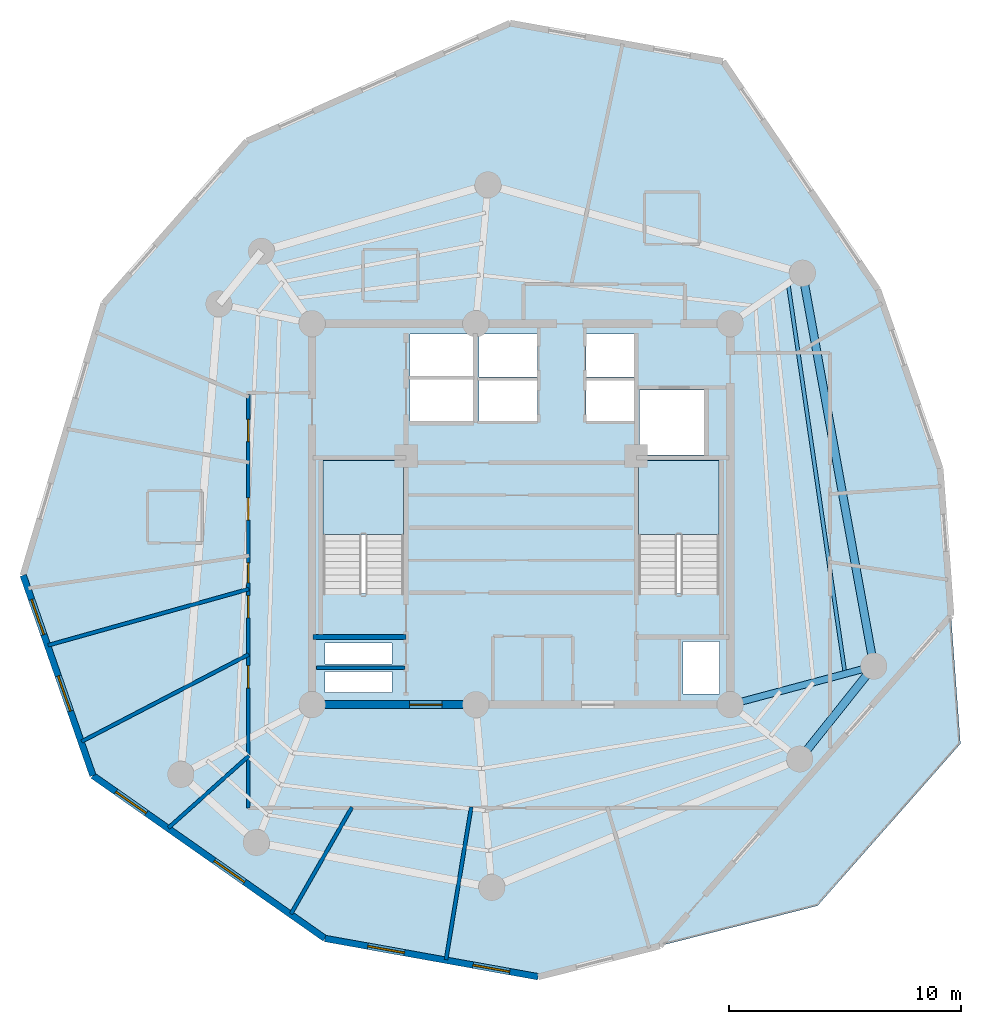
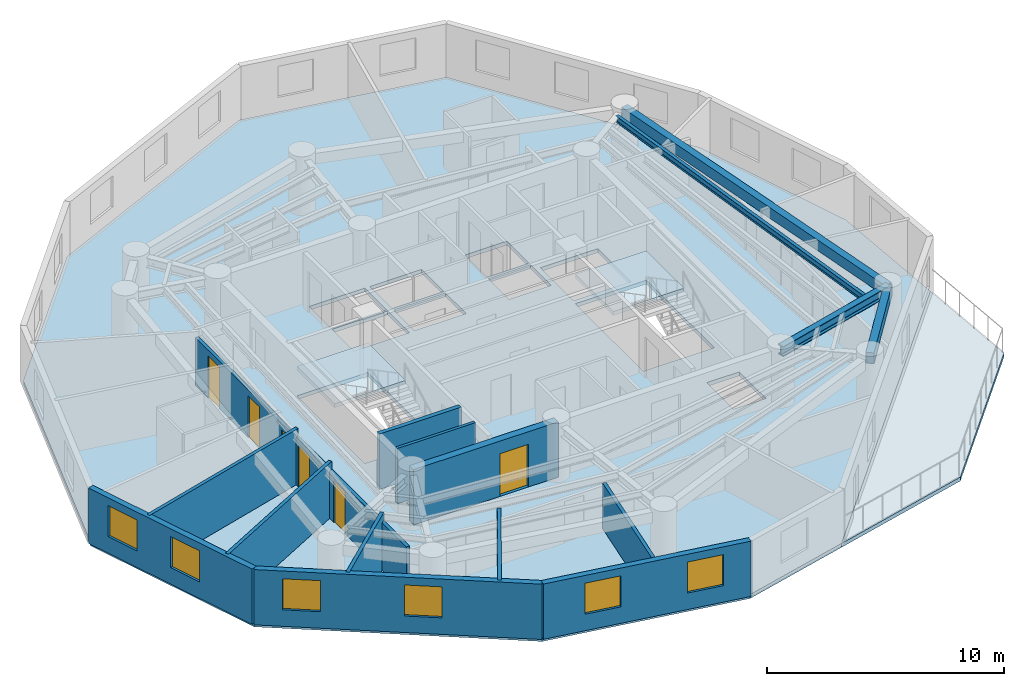
# One storey, part 2 of 7: 12 walls, 6 doors, 6 windows, 4 beams, 4 slabs, 12 openings, 2 elements without a shape of their own.
"""IFC4 building model written with IfcOpenShell, lengths in metres."""

from ifc_helpers import new_model, si_unit, direction, frame, frame_2d, origin, origin_with_axes, origin_2d, place, context, subcontext, project, spatial, polyline, rectangle, i_section, outline, extrude, source, transform, mapped, material, layer, layer_set, material_profile, profile_set, type_object, element, fill, aggregate, save


model = new_model("IFC4")

# Units and contexts
model_context = context("Model", 3, precision=1e-05, world=origin(), true_north=direction((0.0, 1.0)))
body_context = subcontext(model_context, "Body", "Model", "MODEL_VIEW")
ifc_project = project(units=[si_unit("LENGTHUNIT", "METRE"), si_unit("AREAUNIT", "SQUARE_METRE"), si_unit("VOLUMEUNIT", "CUBIC_METRE"), si_unit("PLANEANGLEUNIT", "RADIAN"), si_unit("MASSUNIT", "GRAM", prefix="KILO")], contexts=[model_context])

# Site, building, storey
site_placement = place(None, origin())
site = spatial("IfcSite", under=ifc_project, at=site_placement, CompositionType="ELEMENT")
building_placement = place(site_placement, origin())
building = spatial("IfcBuilding", under=site, at=building_placement, Name="Karkom Vertical University and Central Library", CompositionType="ELEMENT")
storey_placement = place(building_placement, frame((0.0, 0.0, 235.199951171875)))
storey = spatial("IfcBuildingStorey", under=building, at=storey_placement, Name="L69", CompositionType="ELEMENT", Elevation=235.199951171875)

# Beams
ifc_material_1 = material(Name="Precast concrete C45/55", Category="concrete")
ifc_material_profile_1 = material_profile(ifc_material_1, rectangle(XDim=0.35009765625, YDim=0.550048828125, at=origin_2d()), Name="SPB-350x550")
ifc_profile_set_1 = profile_set([ifc_material_profile_1], Name="Precast concrete C45/55")
beam_type_1 = type_object("IfcBeamType", Name="STR-BM-SP-2", PredefinedType="SPANDREL", material=ifc_profile_set_1)
shared_shape_1 = source(origin_with_axes(), body_context, "Body", "SweptSolid", [
    extrude(rectangle(XDim=0.35009765625, YDim=0.550048828125, at=origin_2d()), origin(), (0.0, 0.0, 1.0), 17.19970703125),
])
beam_1_placement = place(storey_placement, frame((43.681884765625, 19.9560546875, 2.574951171875), z_axis=(-0.178423249727, 0.983953832228, 0.0), x_axis=(-0.983953832228, -0.178423249727, 0.0)))
element("IfcBeam", 1, at=beam_1_placement, inside=storey, type_object=beam_type_1, Name="Level 69 Perimeter Spandrel Beam 01", PredefinedType="SPANDREL", context=body_context, shape_type="MappedRepresentation", body=[
    mapped(shared_shape_1, transform((0.0, 0.0, 0.0), scale=1.0)),
])
shared_shape_2 = source(origin_with_axes(), body_context, "Body", "SweptSolid", [
    extrude(rectangle(XDim=0.35009765625, YDim=0.550048828125, at=origin_2d()), origin(), (0.0, 0.0, 1.0), 5.112060546875),
])
beam_2_placement = place(storey_placement, frame((40.493896484375, 15.9599609375, 2.574951171875), z_axis=(0.623634459503, 0.78171609995, 0.0), x_axis=(-0.78171609995, 0.623634459503, 0.0)))
element("IfcBeam", 2, at=beam_2_placement, inside=storey, type_object=beam_type_1, Name="Level 69 Perimeter Spandrel Beam 09", PredefinedType="SPANDREL", context=body_context, shape_type="MappedRepresentation", body=[
    mapped(shared_shape_2, transform((0.0, 0.0, 0.0), scale=1.0)),
])
ifc_material_2 = material(Name="Steel S355", Category="steel")
ifc_material_profile_2 = material_profile(ifc_material_2, i_section(OverallWidth=0.159912109375, OverallDepth=0.330078125, WebThickness=0.007568359375, FlangeThickness=0.011474609375, FilletRadius=0.01806640625, at=origin_2d()), Name="IPE 330")
ifc_profile_set_2 = profile_set([ifc_material_profile_2], Name="Steel S355")
beam_type_2 = type_object("IfcBeamType", Name="STR-BM-SB-IPE330", PredefinedType="BEAM", material=ifc_profile_set_2)
shared_shape_3 = source(origin_with_axes(), body_context, "Body", "SweptSolid", [
    extrude(i_section(OverallWidth=0.159912109375, OverallDepth=0.330078125, WebThickness=0.007568359375, FlangeThickness=0.011474609375, FilletRadius=0.01806640625, at=origin_2d()), origin(), (0.0, 0.0, 1.0), 16.99755859375),
])
beam_3_placement = place(storey_placement, frame((42.445556640625, 19.624755859375, 2.68505859375), z_axis=(-0.144436985275, 0.98951400055, 0.0), x_axis=(-0.98951400055, -0.144436985275, 0.0)))
element("IfcBeam", 3, at=beam_3_placement, inside=storey, type_object=beam_type_2, Name="Level 69 Secondary Composite Floor Beam 3.01", PredefinedType="BEAM", context=body_context, shape_type="MappedRepresentation", body=[
    mapped(shared_shape_3, transform((0.0, 0.0, 0.0), scale=1.0)),
])
ifc_material_profile_3 = material_profile(ifc_material_2, i_section(OverallWidth=0.300048828125, OverallDepth=0.5, WebThickness=0.014404296875, FlangeThickness=0.028076171875, FilletRadius=0.027099609375, at=origin_2d()), Name="HE 500 B")
ifc_profile_set_3 = profile_set([ifc_material_profile_3], Name="Steel S355")
beam_type_3 = type_object("IfcBeamType", Name="STR-BM-SB-HE500", PredefinedType="USERDEFINED", material=ifc_profile_set_3)
shared_shape_4 = source(origin_with_axes(), body_context, "Body", "SweptSolid", [
    extrude(i_section(OverallWidth=0.300048828125, OverallDepth=0.5, WebThickness=0.014404296875, FlangeThickness=0.028076171875, FilletRadius=0.027099609375, at=origin_2d()), origin(), (0.0, 0.0, 1.0), 6.39990234375),
])
beam_4_placement = place(storey_placement, frame((37.5, 18.300048828125, 2.60009765625), z_axis=(0.965942432948, 0.258757060254, 0.0), x_axis=(-0.258757060254, 0.965942432948, 0.0)))
element("IfcBeam", 4, at=beam_4_placement, inside=storey, type_object=beam_type_3, Name="Level 69 Radial Frame Girder 01", ObjectType="GIRDER", PredefinedType="USERDEFINED", context=body_context, shape_type="MappedRepresentation", body=[
    mapped(shared_shape_4, transform((0.0, 0.0, 0.0), scale=1.0)),
])

# Stair, slab
ifc_material_3 = material(Name="Concrete C45/55", Category="concrete")
stair_type = type_object("IfcStairType", Name="INT-STR-ST-MAIN", PredefinedType="HALF_TURN_STAIR", material=ifc_material_3)
stair_1_placement = place(storey_placement, origin())
stair_1 = element("IfcStair", 5, at=stair_1_placement, inside=storey, type_object=stair_type, Name="Level 69 Tower Protected Exit Stair ST-1", PredefinedType="HALF_TURN_STAIR")
ifc_layer_1 = layer(ifc_material_3, 0.199951171875)
ifc_layer_set_1 = layer_set([ifc_layer_1], Name="Concrete C45/55")
slab_type_1 = type_object("IfcSlabType", Name="INT-SLB-LANDING", PredefinedType="LANDING", material=ifc_layer_set_1)
slab_1_placement = place(storey_placement, frame((0.0, 0.0, 1.324951171875)))
slab_1 = element("IfcSlab", 6, at=slab_1_placement, type_object=slab_type_1, Name="ST-1 landing 1", PredefinedType="LANDING", context=body_context, shape_type="SweptSolid", body=[
    extrude(outline(polyline([(23.43994140625, 25.6298828125), (23.43994140625, 28.820068359375), (19.97998046875, 28.820068359375), (19.97998046875, 25.6298828125), (23.43994140625, 25.6298828125)])), origin(), (0.0, 0.0, 1.0), 0.2001953125),
])
aggregate(stair_1, [slab_1])

stair_2_placement = place(storey_placement, origin())
stair_2 = element("IfcStair", 7, at=stair_2_placement, inside=storey, type_object=stair_type, Name="Level 69 Tower Protected Exit Stair ST-2", PredefinedType="HALF_TURN_STAIR")
slab_2_placement = place(storey_placement, frame((0.0, 0.0, 1.324951171875)))
slab_2 = element("IfcSlab", 8, at=slab_2_placement, type_object=slab_type_1, Name="ST-2 landing 1", PredefinedType="LANDING", context=body_context, shape_type="SweptSolid", body=[
    extrude(outline(polyline([(37.02001953125, 25.6298828125), (37.02001953125, 28.820068359375), (33.56005859375, 28.820068359375), (33.56005859375, 25.6298828125), (37.02001953125, 25.6298828125)])), origin(), (0.0, 0.0, 1.0), 0.2001953125),
])
aggregate(stair_2, [slab_2])

# Slabs
ifc_material_4 = material(Name="Concrete C40/50", Category="concrete")
ifc_layer_2 = layer(ifc_material_4, 0.199951171875)
ifc_layer_set_2 = layer_set([ifc_layer_2], Name="Concrete C40/50")
slab_type_2 = type_object("IfcSlabType", Name="STR-SLB-FLR-200", PredefinedType="FLOOR", material=ifc_layer_set_2)
slab_3_placement = place(storey_placement, frame((0.0, 0.0, -0.199951171875)))
element("IfcSlab", 9, at=slab_3_placement, inside=storey, type_object=slab_type_2, Name="Level 69 Tower Structural Floor Slab", PredefinedType="FLOOR", context=body_context, shape_type="SweptSolid", body=[
    extrude(outline(polyline([(10.063232421875, 15.24560546875), (20.05419921875, 8.2333984375), (29.231201171875, 6.584716796875), (34.466796875, 7.915771484375), (47.003662109375, 22.128173828125), (46.534912109375, 28.464599609375), (43.85400390625, 36.162841796875), (37.182861328125, 45.990234375), (28.025634765625, 47.635498046875), (16.70263671875, 42.5615234375), (10.534912109375, 35.5693359375), (7.060546875, 23.867919921875), (10.063232421875, 15.24560546875)]), holes=[polyline([(19.97998046875, 23.0849609375), (23.43994140625, 23.0849609375), (23.43994140625, 28.820068359375), (19.97998046875, 28.820068359375), (19.97998046875, 23.0849609375)]), polyline([(33.56005859375, 23.0849609375), (37.02001953125, 23.0849609375), (37.02001953125, 28.820068359375), (33.56005859375, 28.820068359375), (33.56005859375, 23.0849609375)]), polyline([(26.679931640625, 30.5), (29.199951171875, 30.5), (29.199951171875, 32.25), (26.679931640625, 32.25), (26.679931640625, 30.5)]), polyline([(26.679931640625, 32.39990234375), (29.199951171875, 32.39990234375), (29.199951171875, 34.25), (26.679931640625, 34.25), (26.679931640625, 32.39990234375)]), polyline([(31.300048828125, 30.5), (33.35009765625, 30.5), (33.35009765625, 32.25), (31.300048828125, 32.25), (31.300048828125, 30.5)]), polyline([(31.300048828125, 32.39990234375), (33.35009765625, 32.39990234375), (33.35009765625, 34.25), (31.300048828125, 34.25), (31.300048828125, 32.39990234375)]), polyline([(23.719970703125, 30.47998046875), (26.429931640625, 30.47998046875), (26.429931640625, 32.320068359375), (23.719970703125, 32.320068359375), (23.719970703125, 30.47998046875)]), polyline([(23.719970703125, 32.419921875), (26.429931640625, 32.419921875), (26.429931640625, 34.260009765625), (23.719970703125, 34.260009765625), (23.719970703125, 32.419921875)]), polyline([(33.60009765625, 29.050048828125), (36.39990234375, 29.050048828125), (36.39990234375, 31.85009765625), (33.60009765625, 31.85009765625), (33.60009765625, 29.050048828125)]), polyline([(20.050048828125, 18.820068359375), (22.949951171875, 18.820068359375), (22.949951171875, 19.719970703125), (20.050048828125, 19.719970703125), (20.050048828125, 18.820068359375)]), polyline([(20.050048828125, 20.06005859375), (22.949951171875, 20.06005859375), (22.949951171875, 20.9599609375), (20.050048828125, 20.9599609375), (20.050048828125, 20.06005859375)]), polyline([(35.4599609375, 18.760009765625), (37.0400390625, 18.760009765625), (37.0400390625, 21.010009765625), (35.4599609375, 21.010009765625), (35.4599609375, 18.760009765625)])]), origin(), (0.0, 0.0, 1.0), 0.199951171875),
])
ifc_layer_3 = layer(ifc_material_3, 0.199951171875)
ifc_layer_set_3 = layer_set([ifc_layer_3], Name="Concrete C45/55")
slab_type_3 = type_object("IfcSlabType", Name="STR-SLB-PLN-260", PredefinedType="USERDEFINED", material=ifc_layer_set_3)
slab_4_placement = place(storey_placement, frame((0.0, 0.0, -0.199951171875)))
element("IfcSlab", 10, at=slab_4_placement, inside=storey, type_object=slab_type_3, Name="Level 69 Spiral Sky Garden Planter Terrace", ObjectType="PLANTER", PredefinedType="USERDEFINED", context=body_context, shape_type="SweptSolid", body=[
    extrude(outline(polyline([(34.466796875, 7.915771484375), (41.256591796875, 9.6416015625), (47.4111328125, 16.618896484375), (47.003662109375, 22.128173828125), (34.466796875, 7.915771484375)])), origin(), (0.0, 0.0, 1.0), 0.199951171875),
])

# Wall, openings, windows
ifc_material_5 = material(Name="Brick-faced precast concrete C45/55", Category="masonry")
ifc_layer_4 = layer(ifc_material_5, 0.280029296875)
ifc_layer_set_4 = layer_set([ifc_layer_4], Name="Brick-faced precast concrete C45/55")
wall_type_1 = type_object("IfcWallType", Name="ENV-WL-BRK-280", PredefinedType="SOLIDWALL", material=ifc_layer_set_4)
wall_1_placement = place(storey_placement, frame((10.063232421875, 15.24560546875, 0.0), z_axis=(0.0, 0.0, 1.0), x_axis=(0.818518081976, -0.574480765108, 0.0)))
wall_1 = element("IfcWall", 11, at=wall_1_placement, inside=storey, type_object=wall_type_1, Name="Level 69 Brick-Faced Precast Facade Wall 01", PredefinedType="SOLIDWALL", context=body_context, shape_type="SweptSolid", body=[
    extrude(rectangle(XDim=12.2060546875, YDim=0.280029296875, at=frame_2d((6.10302734375, 0.0))), origin(), (0.0, 0.0, 1.0), 2.85009765625),
])
opening_1_placement = place(wall_1_placement, frame((1.211181640625, 0.0, 0.85009765625)))
opening_1 = element("IfcOpeningElement", 12, at=opening_1_placement, cuts=wall_1, Name="Opening WN-10", PredefinedType="OPENING", context=body_context, shape_type="SweptSolid", body=[
    extrude(rectangle(XDim=1.60009765625, YDim=1.60009765625, at=frame_2d((0.800048828125, 0.800048828125))), frame((0.0, 0.14990234375, 0.0), z_axis=(0.0, -1.0, 0.0), x_axis=(1.0, 0.0, 0.0)), (0.0, 0.0, 1.0), 0.300048828125),
])
opening_2_placement = place(wall_1_placement, frame((6.37939453125, 0.0, 0.85009765625)))
opening_2 = element("IfcOpeningElement", 13, at=opening_2_placement, cuts=wall_1, Name="Opening WN-10", PredefinedType="OPENING", context=body_context, shape_type="SweptSolid", body=[
    extrude(rectangle(XDim=1.60009765625, YDim=1.60009765625, at=frame_2d((0.800048828125, 0.800048828125))), frame((0.0, 0.14990234375, 0.0), z_axis=(0.0, -1.0, 0.0), x_axis=(1.0, 0.0, 0.0)), (0.0, 0.0, 1.0), 0.300048828125),
])
ifc_material_6 = material(Name="Aluminium thermal-break frame with solar-control IGU", Category="aluminium")
window_type = type_object("IfcWindowType", Name="ENV-WIN-WN-10", PartitioningType="SINGLE_PANEL", PredefinedType="WINDOW", material=ifc_material_6)
shared_shape_5 = source(origin_with_axes(), body_context, "Body", "SweptSolid", [
    extrude(rectangle(XDim=1.60009765625, YDim=1.60009765625, at=frame_2d((0.800048828125, 0.800048828125))), frame((0.0, 0.030029296875, 0.0), z_axis=(0.0, -1.0, 0.0), x_axis=(1.0, 0.0, 0.0)), (0.0, 0.0, 1.0), 0.06005859375),
])
window_1_placement = place(opening_1_placement, origin())
window_1 = element("IfcWindow", 14, at=window_1_placement, inside=storey, type_object=window_type, Name="Level 69 Punched Window 1.1", OverallHeight=1.60009765625, OverallWidth=1.60009765625, PartitioningType="SINGLE_PANEL", PredefinedType="WINDOW", context=body_context, shape_type="MappedRepresentation", body=[
    mapped(shared_shape_5, transform((0.0, 0.0, 0.0), scale=1.0)),
])
fill(opening_1, window_1)
window_2_placement = place(opening_2_placement, origin())
window_2 = element("IfcWindow", 15, at=window_2_placement, inside=storey, type_object=window_type, Name="Level 69 Punched Window 1.2", OverallHeight=1.60009765625, OverallWidth=1.60009765625, PartitioningType="SINGLE_PANEL", PredefinedType="WINDOW", context=body_context, shape_type="MappedRepresentation", body=[
    mapped(shared_shape_5, transform((0.0, 0.0, 0.0), scale=1.0)),
])
fill(opening_2, window_2)

wall_2_placement = place(storey_placement, frame((20.05419921875, 8.2333984375, 0.0), z_axis=(0.0, 0.0, 1.0), x_axis=(0.984242708318, -0.176822767546, 0.0)))
wall_2 = element("IfcWall", 16, at=wall_2_placement, inside=storey, type_object=wall_type_1, Name="Level 69 Brick-Faced Precast Facade Wall 02", PredefinedType="SOLIDWALL", context=body_context, shape_type="SweptSolid", body=[
    extrude(rectangle(XDim=9.323974609375, YDim=0.280029296875, at=frame_2d((4.662109375, 0.0))), origin(), (0.0, 0.0, 1.0), 2.85009765625),
])
opening_3_placement = place(wall_2_placement, frame((1.875, 0.0, 0.85009765625)))
opening_3 = element("IfcOpeningElement", 17, at=opening_3_placement, cuts=wall_2, Name="Opening WN-10", PredefinedType="OPENING", context=body_context, shape_type="SweptSolid", body=[
    extrude(rectangle(XDim=1.60009765625, YDim=1.60009765625, at=frame_2d((0.800048828125, 0.800048828125))), frame((0.0, 0.14990234375, 0.0), z_axis=(0.0, -1.0, 0.0), x_axis=(1.0, 0.0, 0.0)), (0.0, 0.0, 1.0), 0.300048828125),
])
opening_4_placement = place(wall_2_placement, frame((6.476806640625, 0.0, 0.85009765625)))
opening_4 = element("IfcOpeningElement", 18, at=opening_4_placement, cuts=wall_2, Name="Opening WN-10", PredefinedType="OPENING", context=body_context, shape_type="SweptSolid", body=[
    extrude(rectangle(XDim=1.60009765625, YDim=1.60009765625, at=frame_2d((0.800048828125, 0.800048828125))), frame((0.0, 0.14990234375, 0.0), z_axis=(0.0, -1.0, 0.0), x_axis=(1.0, 0.0, 0.0)), (0.0, 0.0, 1.0), 0.300048828125),
])
window_3_placement = place(opening_3_placement, origin())
window_3 = element("IfcWindow", 19, at=window_3_placement, inside=storey, type_object=window_type, Name="Level 69 Punched Window 2.1", OverallHeight=1.60009765625, OverallWidth=1.60009765625, PartitioningType="SINGLE_PANEL", PredefinedType="WINDOW", context=body_context, shape_type="MappedRepresentation", body=[
    mapped(shared_shape_5, transform((0.0, 0.0, 0.0), scale=1.0)),
])
fill(opening_3, window_3)
window_4_placement = place(opening_4_placement, origin())
window_4 = element("IfcWindow", 20, at=window_4_placement, inside=storey, type_object=window_type, Name="Level 69 Punched Window 2.2", OverallHeight=1.60009765625, OverallWidth=1.60009765625, PartitioningType="SINGLE_PANEL", PredefinedType="WINDOW", context=body_context, shape_type="MappedRepresentation", body=[
    mapped(shared_shape_5, transform((0.0, 0.0, 0.0), scale=1.0)),
])
fill(opening_4, window_4)

wall_3_placement = place(storey_placement, frame((7.060546875, 23.867919921875, 0.0), z_axis=(0.0, 0.0, 1.0), x_axis=(0.328874263267, -0.944373717847, 0.0)))
wall_3 = element("IfcWall", 21, at=wall_3_placement, inside=storey, type_object=wall_type_1, Name="Level 69 Brick-Faced Precast Facade Wall 12", PredefinedType="SOLIDWALL", context=body_context, shape_type="SweptSolid", body=[
    extrude(rectangle(XDim=9.130126953125, YDim=0.280029296875, at=frame_2d((4.56494140625, 0.0))), origin(), (0.0, 0.0, 1.0), 2.85009765625),
])
opening_5_placement = place(wall_3_placement, frame((1.10400390625, 0.0, 0.85009765625)))
opening_5 = element("IfcOpeningElement", 22, at=opening_5_placement, cuts=wall_3, Name="Opening WN-10", PredefinedType="OPENING", context=body_context, shape_type="SweptSolid", body=[
    extrude(rectangle(XDim=1.60009765625, YDim=1.60009765625, at=frame_2d((0.800048828125, 0.800048828125))), frame((0.0, 0.14990234375, 0.0), z_axis=(0.0, -1.0, 0.0), x_axis=(1.0, 0.0, 0.0)), (0.0, 0.0, 1.0), 0.300048828125),
])
opening_6_placement = place(wall_3_placement, frame((4.590087890625, 0.0, 0.85009765625)))
opening_6 = element("IfcOpeningElement", 23, at=opening_6_placement, cuts=wall_3, Name="Opening WN-10", PredefinedType="OPENING", context=body_context, shape_type="SweptSolid", body=[
    extrude(rectangle(XDim=1.60009765625, YDim=1.60009765625, at=frame_2d((0.800048828125, 0.800048828125))), frame((0.0, 0.14990234375, 0.0), z_axis=(0.0, -1.0, 0.0), x_axis=(1.0, 0.0, 0.0)), (0.0, 0.0, 1.0), 0.300048828125),
])
window_5_placement = place(opening_5_placement, origin())
window_5 = element("IfcWindow", 24, at=window_5_placement, inside=storey, type_object=window_type, Name="Level 69 Punched Window 12.1", OverallHeight=1.60009765625, OverallWidth=1.60009765625, PartitioningType="SINGLE_PANEL", PredefinedType="WINDOW", context=body_context, shape_type="MappedRepresentation", body=[
    mapped(shared_shape_5, transform((0.0, 0.0, 0.0), scale=1.0)),
])
fill(opening_5, window_5)
window_6_placement = place(opening_6_placement, origin())
window_6 = element("IfcWindow", 25, at=window_6_placement, inside=storey, type_object=window_type, Name="Level 69 Punched Window 12.2", OverallHeight=1.60009765625, OverallWidth=1.60009765625, PartitioningType="SINGLE_PANEL", PredefinedType="WINDOW", context=body_context, shape_type="MappedRepresentation", body=[
    mapped(shared_shape_5, transform((0.0, 0.0, 0.0), scale=1.0)),
])
fill(opening_6, window_6)

# Wall, openings, doors
ifc_material_7 = material(Name="Insulated metal-stud drywall 160mm", Category="gypsum")
ifc_layer_5 = layer(ifc_material_7, 0.159912109375)
ifc_layer_set_5 = layer_set([ifc_layer_5], Name="Insulated metal-stud drywall 160mm")
wall_type_2 = type_object("IfcWallType", Name="INT-WL-COR-160", PredefinedType="PARTITIONING", material=ifc_layer_set_5)
wall_4_placement = place(storey_placement, frame((16.75, 13.85009765625, 0.0), z_axis=(0.0, 0.0, 1.0), x_axis=(0.0, 1.0, 0.0)))
wall_4 = element("IfcWall", 26, at=wall_4_placement, inside=storey, type_object=wall_type_2, Name="Level 69 Interior Partition Wall L69-CORW-CW-002", PredefinedType="PARTITIONING", context=body_context, shape_type="SweptSolid", body=[
    extrude(rectangle(XDim=17.7998046875, YDim=0.159912109375, at=frame_2d((8.89990234375, 0.0))), origin(), (0.0, 0.0, 1.0), 2.449951171875),
])
opening_7_placement = place(wall_4_placement, frame((12.39404296875, 0.0, 0.0)))
opening_7 = element("IfcOpeningElement", 27, at=opening_7_placement, cuts=wall_4, Name="Opening FD-RM2", PredefinedType="OPENING", context=body_context, shape_type="SweptSolid", body=[
    extrude(rectangle(XDim=0.9599609375, YDim=2.14990234375, at=frame_2d((0.47998046875, 1.074951171875))), frame((0.0, 0.08984375, 0.0), z_axis=(0.0, -1.0, 0.0), x_axis=(1.0, 0.0, 0.0)), (0.0, 0.0, 1.0), 0.179931640625),
])
opening_8_placement = place(wall_4_placement, frame((9.690673828125, 0.0, 0.0)))
opening_8 = element("IfcOpeningElement", 28, at=opening_8_placement, cuts=wall_4, Name="Opening FD-BTH1", PredefinedType="OPENING", context=body_context, shape_type="SweptSolid", body=[
    extrude(rectangle(XDim=0.860107421875, YDim=2.10009765625, at=frame_2d((0.43017578125, 1.050048828125))), frame((0.0, 0.08984375, 0.0), z_axis=(0.0, -1.0, 0.0), x_axis=(1.0, 0.0, 0.0)), (0.0, 0.0, 1.0), 0.179931640625),
])
opening_9_placement = place(wall_4_placement, frame((8.18505859375, 0.0, 0.0)))
opening_9 = element("IfcOpeningElement", 29, at=opening_9_placement, cuts=wall_4, Name="Opening FD-RM2", PredefinedType="OPENING", context=body_context, shape_type="SweptSolid", body=[
    extrude(rectangle(XDim=0.9599609375, YDim=2.14990234375, at=frame_2d((0.47998046875, 1.074951171875))), frame((0.0, 0.08984375, 0.0), z_axis=(0.0, -1.0, 0.0), x_axis=(1.0, 0.0, 0.0)), (0.0, 0.0, 1.0), 0.179931640625),
])
opening_10_placement = place(wall_4_placement, frame((5.1650390625, 0.0, 0.0)))
opening_10 = element("IfcOpeningElement", 30, at=opening_10_placement, cuts=wall_4, Name="Opening FD-RM2", PredefinedType="OPENING", context=body_context, shape_type="SweptSolid", body=[
    extrude(rectangle(XDim=0.9599609375, YDim=2.14990234375, at=frame_2d((0.47998046875, 1.074951171875))), frame((0.0, 0.08984375, 0.0), z_axis=(0.0, -1.0, 0.0), x_axis=(1.0, 0.0, 0.0)), (0.0, 0.0, 1.0), 0.179931640625),
])
opening_11_placement = place(wall_4_placement, frame((15.775634765625, 0.0, 0.0)))
opening_11 = element("IfcOpeningElement", 31, at=opening_11_placement, cuts=wall_4, Name="Opening FD-RM2", PredefinedType="OPENING", context=body_context, shape_type="SweptSolid", body=[
    extrude(rectangle(XDim=0.9599609375, YDim=2.14990234375, at=frame_2d((0.47998046875, 1.074951171875))), frame((0.0, 0.08984375, 0.0), z_axis=(0.0, -1.0, 0.0), x_axis=(1.0, 0.0, 0.0)), (0.0, 0.0, 1.0), 0.179931640625),
])
ifc_material_8 = material(Name="Fire-rated oak veneer door", Category="wood")
door_type_1 = type_object("IfcDoorType", Name="INT-DR-FRM2", OperationType="NOTDEFINED", PredefinedType="DOOR", material=ifc_material_8)
shared_shape_6 = source(origin_with_axes(), body_context, "Body", "SweptSolid", [
    extrude(rectangle(XDim=0.9599609375, YDim=2.14990234375, at=frame_2d((0.47998046875, 1.074951171875))), frame((0.0, 0.02490234375, 0.0), z_axis=(0.0, -1.0, 0.0), x_axis=(1.0, 0.0, 0.0)), (0.0, 0.0, 1.0), 0.050048828125),
])
door_1_placement = place(opening_7_placement, origin())
door_1 = element("IfcDoor", 32, at=door_1_placement, inside=storey, type_object=door_type_1, Name="Level 69 Room Entry Door 426", OperationType="SINGLE_SWING_LEFT", OverallHeight=2.14990234375, OverallWidth=0.9599609375, PredefinedType="DOOR", context=body_context, shape_type="MappedRepresentation", body=[
    mapped(shared_shape_6, transform((0.0, 0.0, 0.0), scale=1.0)),
])
fill(opening_7, door_1)
door_2_placement = place(opening_9_placement, origin())
door_2 = element("IfcDoor", 33, at=door_2_placement, inside=storey, type_object=door_type_1, Name="Level 69 Room Entry Door 301", OperationType="SINGLE_SWING_LEFT", OverallHeight=2.14990234375, OverallWidth=0.9599609375, PredefinedType="DOOR", context=body_context, shape_type="MappedRepresentation", body=[
    mapped(shared_shape_6, transform((0.0, 0.0, 0.0), scale=1.0)),
])
fill(opening_9, door_2)
door_3_placement = place(opening_10_placement, origin())
door_3 = element("IfcDoor", 34, at=door_3_placement, inside=storey, type_object=door_type_1, Name="Level 69 Room Entry Door 302", OperationType="SINGLE_SWING_RIGHT", OverallHeight=2.14990234375, OverallWidth=0.9599609375, PredefinedType="DOOR", context=body_context, shape_type="MappedRepresentation", body=[
    mapped(shared_shape_6, transform((0.0, 0.0, 0.0), scale=1.0)),
])
fill(opening_10, door_3)
door_4_placement = place(opening_11_placement, origin())
door_4 = element("IfcDoor", 35, at=door_4_placement, inside=storey, type_object=door_type_1, Name="Level 69 Room Entry Door 312", OperationType="SINGLE_SWING_RIGHT", OverallHeight=2.14990234375, OverallWidth=0.9599609375, PredefinedType="DOOR", context=body_context, shape_type="MappedRepresentation", body=[
    mapped(shared_shape_6, transform((0.0, 0.0, 0.0), scale=1.0)),
])
fill(opening_11, door_4)
ifc_material_9 = material(Name="Fire-rated moisture-resistant oak door", Category="wood")
door_type_2 = type_object("IfcDoorType", Name="INT-DR-FBTH1", OperationType="NOTDEFINED", PredefinedType="DOOR", material=ifc_material_9)
shared_shape_7 = source(origin_with_axes(), body_context, "Body", "SweptSolid", [
    extrude(rectangle(XDim=0.860107421875, YDim=2.10009765625, at=frame_2d((0.43017578125, 1.050048828125))), frame((0.0, 0.02490234375, 0.0), z_axis=(0.0, -1.0, 0.0), x_axis=(1.0, 0.0, 0.0)), (0.0, 0.0, 1.0), 0.050048828125),
])
door_5_placement = place(opening_8_placement, origin())
door_5 = element("IfcDoor", 36, at=door_5_placement, inside=storey, type_object=door_type_2, Name="Level 69 Room Entry Door 300", OperationType="SINGLE_SWING_RIGHT", OverallHeight=2.10009765625, OverallWidth=0.860107421875, PredefinedType="DOOR", context=body_context, shape_type="MappedRepresentation", body=[
    mapped(shared_shape_7, transform((0.0, 0.0, 0.0), scale=1.0)),
])
fill(opening_8, door_5)

# Walls
wall_5_placement = place(storey_placement, frame((16.77880859375, 23.277587890625, 0.0), z_axis=(0.0, 0.0, 1.0), x_axis=(-0.962914565551, -0.269806485189, 0.0)))
element("IfcWall", 37, at=wall_5_placement, inside=storey, type_object=wall_type_2, Name="Level 69 Interior Partition Wall L69-PW-001", PredefinedType="PARTITIONING", context=body_context, shape_type="SweptSolid", body=[
    extrude(rectangle(XDim=8.975341796875, YDim=0.159912109375, at=frame_2d((4.48779296875, 0.0))), origin(), (0.0, 0.0, 1.0), 2.85009765625),
])
wall_6_placement = place(storey_placement, frame((16.776611328125, 20.4619140625, 0.0), z_axis=(0.0, 0.0, 1.0), x_axis=(-0.886916138467, -0.46193047456, 0.0)))
element("IfcWall", 38, at=wall_6_placement, inside=storey, type_object=wall_type_2, Name="Level 69 Interior Partition Wall L69-PW-003", PredefinedType="PARTITIONING", context=body_context, shape_type="SweptSolid", body=[
    extrude(rectangle(XDim=8.114990234375, YDim=0.159912109375, at=frame_2d((4.0576171875, 0.0))), origin(), (0.0, 0.0, 1.0), 2.85009765625),
])
wall_7_placement = place(storey_placement, frame((26.352783203125, 13.894287109375, 0.0), z_axis=(0.0, 0.0, 1.0), x_axis=(-0.163245838204, -0.986585422713, 0.0)))
element("IfcWall", 39, at=wall_7_placement, inside=storey, type_object=wall_type_2, Name="Level 69 Interior Partition Wall L69-PW-006", PredefinedType="PARTITIONING", context=body_context, shape_type="SweptSolid", body=[
    extrude(rectangle(XDim=6.6611328125, YDim=0.159912109375, at=frame_2d((3.33056640625, 0.0))), origin(), (0.0, 0.0, 1.0), 2.35009765625),
])
wall_8_placement = place(storey_placement, frame((21.21923828125, 13.888916015625, 0.0), z_axis=(0.0, 0.0, 1.0), x_axis=(-0.49643181117, -0.868075720694, 0.0)))
element("IfcWall", 40, at=wall_8_placement, inside=storey, type_object=wall_type_2, Name="Level 69 Interior Partition Wall L69-PW-005", PredefinedType="PARTITIONING", context=body_context, shape_type="SweptSolid", body=[
    extrude(rectangle(XDim=5.296142578125, YDim=0.159912109375, at=frame_2d((2.64794921875, 0.0))), origin(), (0.0, 0.0, 1.0), 2.85009765625),
])
wall_9_placement = place(storey_placement, frame((16.78369140625, 16.098388671875, 0.0), z_axis=(0.0, 0.0, 1.0), x_axis=(-0.745307168069, -0.666721250017, 0.0)))
element("IfcWall", 41, at=wall_9_placement, inside=storey, type_object=wall_type_2, Name="Level 69 Interior Partition Wall L69-PW-004", PredefinedType="PARTITIONING", context=body_context, shape_type="SweptSolid", body=[
    extrude(rectangle(XDim=4.65380859375, YDim=0.159912109375, at=frame_2d((2.326904296875, 0.0))), origin(), (0.0, 0.0, 1.0), 2.85009765625),
])
ifc_material_10 = material(Name="Metal-stud gypsum partition 140mm", Category="gypsum")
ifc_layer_6 = layer(ifc_material_10, 0.139892578125)
ifc_layer_set_6 = layer_set([ifc_layer_6], Name="Metal-stud gypsum partition 140mm")
wall_type_3 = type_object("IfcWallType", Name="INT-WL-SUB-140H", PredefinedType="PARTITIONING", material=ifc_layer_set_6)
wall_10_placement = place(storey_placement, frame((19.681884765625, 19.889892578125, 0.0), z_axis=(0.0, 0.0, 1.0), x_axis=(1.0, 0.0, 0.0)))
element("IfcWall", 42, at=wall_10_placement, inside=storey, type_object=wall_type_3, Name="Level 69 Interior Partition Wall L69-CW-RIS-W", PredefinedType="PARTITIONING", context=body_context, shape_type="SweptSolid", body=[
    extrude(rectangle(XDim=3.8154296875, YDim=0.139892578125, at=frame_2d((1.90771484375, 0.0))), origin(), (0.0, 0.0, 1.0), 2.85009765625),
])

# Wall, opening, door
ifc_layer_7 = layer(ifc_material_3, 0.35009765625)
ifc_layer_set_7 = layer_set([ifc_layer_7], Name="Concrete C45/55")
wall_type_4 = type_object("IfcWallType", Name="STR-WL-CW-350", PredefinedType="SHEAR", material=ifc_layer_set_7)
wall_11_placement = place(storey_placement, frame((19.5, 18.300048828125, 0.0), z_axis=(0.0, 0.0, 1.0), x_axis=(1.0, 0.0, 0.0)))
wall_11 = element("IfcWall", 43, at=wall_11_placement, inside=storey, type_object=wall_type_4, Name="Level 69 Central Core Shear Wall SW1", PredefinedType="SHEAR", context=body_context, shape_type="SweptSolid", body=[
    extrude(rectangle(XDim=7.050048828125, YDim=0.35009765625, at=frame_2d((3.52490234375, 0.0))), origin(), (0.0, 0.0, 1.0), 2.85009765625),
])
opening_12_placement = place(wall_11_placement, frame((4.199951171875, 0.0, 0.0)))
opening_12 = element("IfcOpeningElement", 44, at=opening_12_placement, cuts=wall_11, Name="Opening FD-CLB", PredefinedType="OPENING", context=body_context, shape_type="SweptSolid", body=[
    extrude(rectangle(XDim=1.39990234375, YDim=2.199951171875, at=frame_2d((0.699951171875, 1.10009765625))), frame((0.0, 0.18505859375, 0.0), z_axis=(0.0, -1.0, 0.0), x_axis=(1.0, 0.0, 0.0)), (0.0, 0.0, 1.0), 0.3701171875),
])
ifc_material_11 = material(Name="Painted steel fire door", Category="steel")
door_type_3 = type_object("IfcDoorType", Name="INT-DR-CLB", OperationType="DOUBLE_DOOR_SINGLE_SWING", PredefinedType="DOOR", material=ifc_material_11)
shared_shape_8 = source(origin_with_axes(), body_context, "Body", "SweptSolid", [
    extrude(rectangle(XDim=1.39990234375, YDim=2.199951171875, at=frame_2d((0.699951171875, 1.10009765625))), frame((0.0, 0.02490234375, 0.0), z_axis=(0.0, -1.0, 0.0), x_axis=(1.0, 0.0, 0.0)), (0.0, 0.0, 1.0), 0.050048828125),
])
door_6_placement = place(opening_12_placement, origin())
door_6 = element("IfcDoor", 45, at=door_6_placement, inside=storey, type_object=door_type_3, Name="Level 69 South Core Lobby West Exit Door", OperationType="DOUBLE_DOOR_SINGLE_SWING", OverallHeight=2.199951171875, OverallWidth=1.39990234375, PredefinedType="DOOR", context=body_context, shape_type="MappedRepresentation", body=[
    mapped(shared_shape_8, transform((0.0, 0.0, 0.0), scale=1.0)),
])
fill(opening_12, door_6)

# Wall
ifc_layer_8 = layer(ifc_material_3, 0.199951171875)
ifc_layer_set_8 = layer_set([ifc_layer_8], Name="Concrete C45/55")
wall_type_5 = type_object("IfcWallType", Name="STR-WL-ST-200", PredefinedType="SHEAR", material=ifc_layer_set_8)
wall_12_placement = place(storey_placement, frame((19.550048828125, 21.215087890625, 0.0), z_axis=(0.0, 0.0, 1.0), x_axis=(1.0, 0.0, 0.0)))
element("IfcWall", 46, at=wall_12_placement, inside=storey, type_object=wall_type_5, Name="Level 69 Core Shaft Wall L69-CW-ST1-S", PredefinedType="SHEAR", context=body_context, shape_type="SweptSolid", body=[
    extrude(rectangle(XDim=3.994873046875, YDim=0.199951171875, at=frame_2d((1.99755859375, 0.0))), origin(), (0.0, 0.0, 1.0), 2.85009765625),
])

save(model, "model.ifc")
